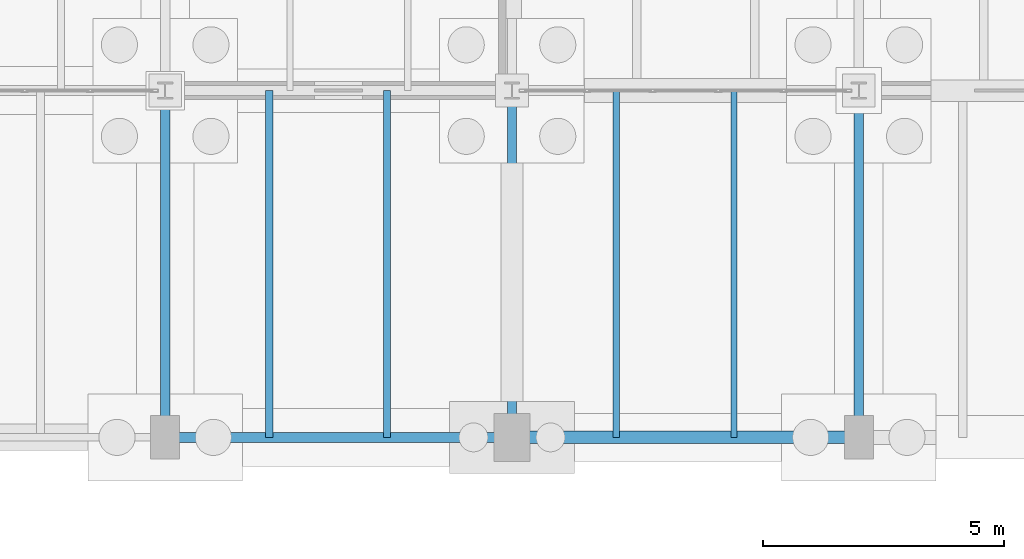
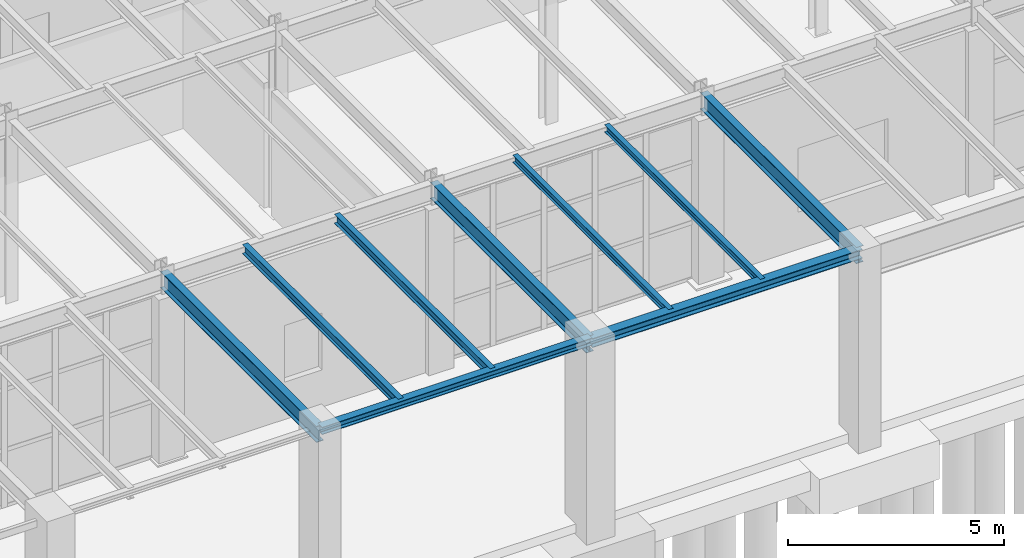
# One storey, part 74 of 293: 9 beams.
"""IFC4 building model written with IfcOpenShell, lengths in metres."""

from ifc_helpers import new_model, si_unit, direction, frame, origin, origin_2d, place, context, subcontext, project, spatial, i_section, extrude, material, material_profile, profile_set, type_object, element, save


model = new_model("IFC4")

# Units and contexts
model_context = context("Model", 3, precision=1e-05, world=origin(), true_north=direction((0.0, 1.0)))
body_context = subcontext(model_context, "Body", "Model", "MODEL_VIEW")
ifc_project = project(units=[si_unit("LENGTHUNIT", "METRE"), si_unit("AREAUNIT", "SQUARE_METRE"), si_unit("VOLUMEUNIT", "CUBIC_METRE"), si_unit("PLANEANGLEUNIT", "RADIAN"), si_unit("MASSUNIT", "GRAM", prefix="KILO")], contexts=[model_context])

# Site, building, storey
site_placement = place(None, origin())
site = spatial("IfcSite", under=ifc_project, at=site_placement, CompositionType="ELEMENT")
building_placement = place(site_placement, origin())
building = spatial("IfcBuilding", under=site, at=building_placement, Name="Kemerveld Promenade Tramway Depot", CompositionType="ELEMENT")
storey_placement = place(building_placement, origin())
storey = spatial("IfcBuildingStorey", under=building, at=storey_placement, Name="L00", CompositionType="ELEMENT", Elevation=0.0)

# Beams
ifc_material = material(Name="Steel S355", Category="steel")
ifc_material_profile_1 = material_profile(ifc_material, i_section(OverallWidth=0.19140625, OverallDepth=0.4599609375, WebThickness=0.010009765625, FlangeThickness=0.01611328125, FilletRadius=0.01025390625, at=origin_2d()), Name="457x191x82 UB")
ifc_profile_set_1 = profile_set([ifc_material_profile_1], Name="Steel S355")
beam_type_1 = type_object("IfcBeamType", Name="BM-G06", PredefinedType="BEAM", material=ifc_profile_set_1)
for number, where, z_axis, x_axis, name in (
    (1, (79.199951171875, 0.0, 4.945068359375), (0.0, 1.0, 0.0), (-1.0, 0.0, 0.0), "BMY-L00-12-A-B"),
    (2, (86.39990234375, 0.0, 4.945068359375), (0.0, 1.0, 0.0), (-1.0, 0.0, 0.0), "BMY-L00-13-A-B"),
    (3, (93.60009765625, 0.0, 4.945068359375), (0.0, 1.0, 0.0), (-1.0, 0.0, 0.0), "BMY-L00-14-A-B"),
):
    element("IfcBeam", number, at=place(storey_placement, frame(where, z_axis=z_axis, x_axis=x_axis)), inside=storey, type_object=beam_type_1, Name=name, PredefinedType="BEAM", context=body_context, shape_type="SweptSolid", body=[
        extrude(i_section(OverallWidth=0.19140625, OverallDepth=0.4599609375, WebThickness=0.010009765625, FlangeThickness=0.01611328125, FilletRadius=0.01025390625, at=origin_2d()), origin(), (0.0, 0.0, 1.0), 7.199951171875),
    ])
ifc_material_profile_2 = material_profile(ifc_material, i_section(OverallWidth=0.146484375, OverallDepth=0.256103515625, WebThickness=0.00634765625, FlangeThickness=0.010986328125, FilletRadius=0.007568359375, at=origin_2d()), Name="254x146x37 UB")
ifc_profile_set_2 = profile_set([ifc_material_profile_2], Name="Steel S355")
beam_type_2 = type_object("IfcBeamType", Name="BM-J02", PredefinedType="JOIST", material=ifc_profile_set_2)
for number, where, z_axis, x_axis, name in (
    (4, (81.360107421875, 0.0, 5.047119140625), (0.0, 1.0, 0.0), (-1.0, 0.0, 0.0), "JST-L00-12-A-1"),
    (5, (83.80810546875, 0.0, 5.047119140625), (0.0, 1.0, 0.0), (-1.0, 0.0, 0.0), "JST-L00-12-A-2"),
):
    element("IfcBeam", number, at=place(storey_placement, frame(where, z_axis=z_axis, x_axis=x_axis)), inside=storey, type_object=beam_type_2, Name=name, PredefinedType="JOIST", context=body_context, shape_type="SweptSolid", body=[
        extrude(i_section(OverallWidth=0.146484375, OverallDepth=0.256103515625, WebThickness=0.00634765625, FlangeThickness=0.010986328125, FilletRadius=0.007568359375, at=origin_2d()), origin(), (0.0, 0.0, 1.0), 7.199951171875),
    ])
ifc_material_profile_3 = material_profile(ifc_material, i_section(OverallWidth=0.13330078125, OverallDepth=0.203125, WebThickness=0.005615234375, FlangeThickness=0.0078125, FilletRadius=0.007568359375, at=origin_2d()), Name="203x133x25 UB")
ifc_profile_set_3 = profile_set([ifc_material_profile_3], Name="Steel S355")
beam_type_3 = type_object("IfcBeamType", Name="BM-J03", PredefinedType="JOIST", material=ifc_profile_set_3)
for number, where, z_axis, x_axis, name in (
    (6, (88.56005859375, 0.0, 5.073486328125), (0.0, 1.0, 0.0), (-1.0, 0.0, 0.0), "JST-L00-13-A-1"),
    (7, (91.008056640625, 0.0, 5.073486328125), (0.0, 1.0, 0.0), (-1.0, 0.0, 0.0), "JST-L00-13-A-2"),
):
    element("IfcBeam", number, at=place(storey_placement, frame(where, z_axis=z_axis, x_axis=x_axis)), inside=storey, type_object=beam_type_3, Name=name, PredefinedType="JOIST", context=body_context, shape_type="SweptSolid", body=[
        extrude(i_section(OverallWidth=0.13330078125, OverallDepth=0.203125, WebThickness=0.005615234375, FlangeThickness=0.0078125, FilletRadius=0.007568359375, at=origin_2d()), origin(), (0.0, 0.0, 1.0), 7.199951171875),
    ])
ifc_material_profile_4 = material_profile(ifc_material, i_section(OverallWidth=0.205810546875, OverallDepth=0.209716796875, WebThickness=0.009521484375, FlangeThickness=0.01416015625, FilletRadius=0.01025390625, at=origin_2d()), Name="203x203x60 UC")
ifc_profile_set_4 = profile_set([ifc_material_profile_4], Name="Steel S355")
beam_type_4 = type_object("IfcBeamType", Name="BM-LN3", PredefinedType="LINTEL", material=ifc_profile_set_4)
beam_1_placement = place(storey_placement, frame((79.199951171875, 0.0, 5.0703125), z_axis=(1.0, 0.0, 0.0), x_axis=(0.0, 1.0, 0.0)))
element("IfcBeam", 8, at=beam_1_placement, inside=storey, type_object=beam_type_4, Name="BMX-L00-12-13-A", PredefinedType="LINTEL", context=body_context, shape_type="SweptSolid", body=[
    extrude(i_section(OverallWidth=0.205810546875, OverallDepth=0.209716796875, WebThickness=0.009521484375, FlangeThickness=0.01416015625, FilletRadius=0.01025390625, at=origin_2d()), origin(), (0.0, 0.0, 1.0), 7.199951171875),
])
ifc_material_profile_5 = material_profile(ifc_material, i_section(OverallWidth=0.25634765625, OverallDepth=0.26025390625, WebThickness=0.01025390625, FlangeThickness=0.017333984375, FilletRadius=0.0126953125, at=origin_2d()), Name="254x254x89 UC")
ifc_profile_set_5 = profile_set([ifc_material_profile_5], Name="Steel S355")
beam_type_5 = type_object("IfcBeamType", Name="BM-LN4", PredefinedType="LINTEL", material=ifc_profile_set_5)
beam_2_placement = place(storey_placement, frame((86.39990234375, 0.0, 5.044921875), z_axis=(1.0, 0.0, 0.0), x_axis=(0.0, 1.0, 0.0)))
element("IfcBeam", 9, at=beam_2_placement, inside=storey, type_object=beam_type_5, Name="BMX-L00-13-14-A", PredefinedType="LINTEL", context=body_context, shape_type="SweptSolid", body=[
    extrude(i_section(OverallWidth=0.25634765625, OverallDepth=0.26025390625, WebThickness=0.01025390625, FlangeThickness=0.017333984375, FilletRadius=0.0126953125, at=origin_2d()), origin(), (0.0, 0.0, 1.0), 7.2001953125),
])

save(model, "model.ifc")
